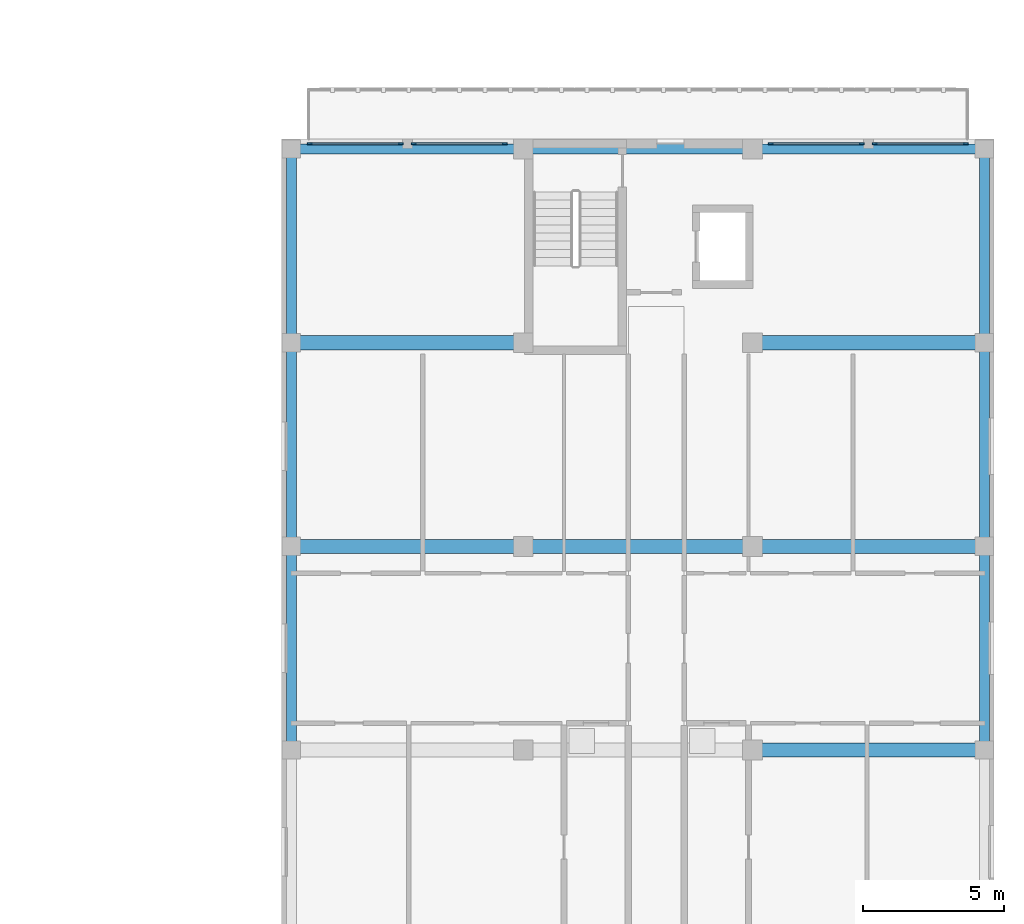
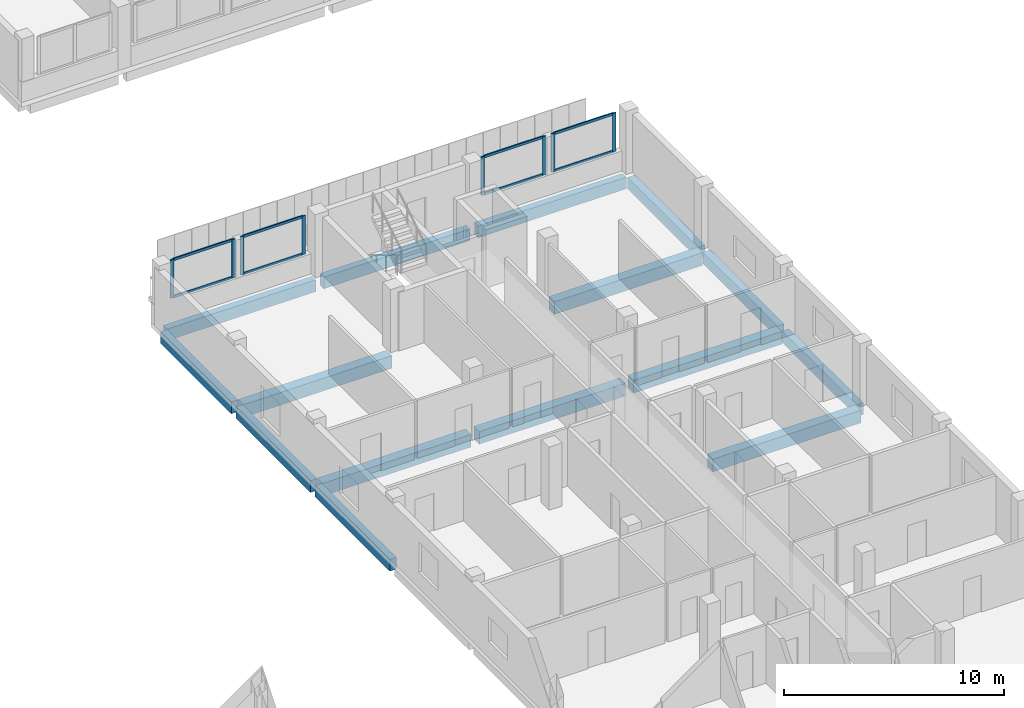
# One storey, part 23 of 73: 16 members, 15 beams, 4 elements without a shape of their own.
"""IFC4 building model written with IfcOpenShell, lengths in metres."""

from ifc_helpers import new_model, si_unit, derived_unit, direction, frame, origin, origin_2d, place, context, subcontext, project, spatial, rectangle, extrude, material, layer, layer_set, material_profile, profile_set, type_object, element, aggregate, save


model = new_model("IFC4")

# Units and contexts
model_context = context("Model", 3, precision=1e-05, world=origin(), true_north=direction((0.0, 1.0)))
body_context = subcontext(model_context, "Body", "Model", "MODEL_VIEW")
ifc_project = project(units=[si_unit("LENGTHUNIT", "METRE"), si_unit("AREAUNIT", "SQUARE_METRE"), si_unit("VOLUMEUNIT", "CUBIC_METRE"), si_unit("PLANEANGLEUNIT", "RADIAN"), si_unit("MASSUNIT", "GRAM", prefix="KILO"), derived_unit("THERMALTRANSMITTANCEUNIT", [(si_unit("MASSUNIT", "GRAM", prefix="KILO"), 1), (si_unit("TIMEUNIT", "SECOND"), -3), (si_unit("THERMODYNAMICTEMPERATUREUNIT", "KELVIN"), -1)])], contexts=[model_context])

# Site, building, storey
site_placement = place(None, origin())
site = spatial("IfcSite", under=ifc_project, at=site_placement, CompositionType="ELEMENT")
building_placement = place(site_placement, origin())
building = spatial("IfcBuilding", under=site, at=building_placement, Name="Ochrekiln Boulevard Commons", CompositionType="ELEMENT")
storey_placement = place(building_placement, frame((0.0, 0.0, 8.574951171875)))
storey = spatial("IfcBuildingStorey", under=building, at=storey_placement, Name="L02", CompositionType="ELEMENT", Elevation=8.574951171875)

# Beams
ifc_material_1 = material(Name="Concrete C40/50", Category="concrete")
ifc_material_profile_1 = material_profile(ifc_material_1, rectangle(XDim=0.5, YDim=0.699951171875, at=origin_2d()), Name="RC-BM-500x700")
ifc_profile_set_1 = profile_set([ifc_material_profile_1], Name="Concrete C40/50")
beam_type_1 = type_object("IfcBeamType", Name="BM-RC-500x700", PredefinedType="BEAM", material=ifc_profile_set_1)
for number, where, z_axis, x_axis, name in (
    (1, (164.4599609375, 28.800048828125, -0.60986328125), (1.0, 0.0, 0.0), (0.0, 1.0, 0.0), "Block C L02 Beam B-5070 X14"),
    (2, (148.159912109375, 36.0, -0.60986328125), (1.0, 0.0, 0.0), (0.0, 1.0, 0.0), "Block C L02 Beam B-5070 X15"),
):
    element("IfcBeam", number, at=place(storey_placement, frame(where, z_axis=z_axis, x_axis=x_axis)), inside=storey, type_object=beam_type_1, Name=name, PredefinedType="BEAM", context=body_context, shape_type="SweptSolid", body=[
        extrude(rectangle(XDim=0.5, YDim=0.699951171875, at=origin_2d()), origin(), (0.0, 0.0, 1.0), 7.780029296875),
    ])
beam_1_placement = place(storey_placement, frame((156.360107421875, 36.0, -0.60986328125), z_axis=(1.0, 0.0, 0.0), x_axis=(0.0, 1.0, 0.0)))
element("IfcBeam", 3, at=beam_1_placement, inside=storey, type_object=beam_type_1, Name="Block C L02 Beam B-5070 X16", PredefinedType="BEAM", context=body_context, shape_type="SweptSolid", body=[
    extrude(rectangle(XDim=0.5, YDim=0.699951171875, at=origin_2d()), origin(), (0.0, 0.0, 1.0), 7.679931640625),
])
for number, where, z_axis, x_axis, name in (
    (4, (164.4599609375, 36.0, -0.60986328125), (1.0, 0.0, 0.0), (0.0, 1.0, 0.0), "Block C L02 Beam B-5070 X17"),
    (5, (148.159912109375, 43.199951171875, -0.60986328125), (1.0, 0.0, 0.0), (0.0, 1.0, 0.0), "Block C L02 Beam B-5070 X18"),
    (6, (164.4599609375, 43.199951171875, -0.60986328125), (1.0, 0.0, 0.0), (0.0, 1.0, 0.0), "Block C L02 Beam B-5070 X19"),
):
    element("IfcBeam", number, at=place(storey_placement, frame(where, z_axis=z_axis, x_axis=x_axis)), inside=storey, type_object=beam_type_1, Name=name, PredefinedType="BEAM", context=body_context, shape_type="SweptSolid", body=[
        extrude(rectangle(XDim=0.5, YDim=0.699951171875, at=origin_2d()), origin(), (0.0, 0.0, 1.0), 7.780029296875),
    ])

# Curtain wall, members
ifc_material_2 = material(Name="Bronze-anodized extruded aluminium 6063-T6", Category="aluminium")
ifc_layer = layer(ifc_material_2, 0.18408203125)
ifc_layer_set = layer_set([ifc_layer], Name="Bronze-anodized extruded aluminium 6063-T6")
curtain_wall_type = type_object("IfcCurtainWallType", Name="CW-GABLE-B", PredefinedType="USERDEFINED", material=ifc_layer_set)
curtain_wall_1_placement = place(storey_placement, origin())
curtain_wall_1 = element("IfcCurtainWall", 7, at=curtain_wall_1_placement, inside=storey, type_object=curtain_wall_type, Name="Block C L02 Courtyard Glazed Gable Curtain Wall 1", ObjectType="GLAZED CURTAIN WALL", PredefinedType="USERDEFINED")
ifc_material_profile_2 = material_profile(ifc_material_2, rectangle(XDim=0.06494140625, YDim=0.179931640625, at=origin_2d()), Name="ALU-MUL-65x180")
ifc_profile_set_2 = profile_set([ifc_material_profile_2], Name="Bronze-anodized extruded aluminium 6063-T6")
member_type_1 = type_object("IfcMemberType", Name="CWM-65x180", PredefinedType="MULLION", material=ifc_profile_set_2)
member_1_placement = place(storey_placement, frame((148.6025390625, 50.235107421875, 1.110107421875), z_axis=(0.0, 0.0, 1.0), x_axis=(0.0, 1.0, 0.0)))
member_1 = element("IfcMember", 8, at=member_1_placement, type_object=member_type_1, Name="CW-02 mullion 1", PredefinedType="MULLION", context=body_context, shape_type="SweptSolid", body=[
    extrude(rectangle(XDim=0.06494140625, YDim=0.179931640625, at=origin_2d()), origin(), (0.0, 0.0, 1.0), 2.1298828125),
])
member_2_placement = place(storey_placement, frame((151.8173828125, 50.235107421875, 1.110107421875), z_axis=(0.0, 0.0, 1.0), x_axis=(0.0, 1.0, 0.0)))
member_2 = element("IfcMember", 9, at=member_2_placement, type_object=member_type_1, Name="CW-02 mullion 2", PredefinedType="MULLION", context=body_context, shape_type="SweptSolid", body=[
    extrude(rectangle(XDim=0.06494140625, YDim=0.179931640625, at=origin_2d()), origin(), (0.0, 0.0, 1.0), 2.1298828125),
])

curtain_wall_2_placement = place(storey_placement, origin())
curtain_wall_2 = element("IfcCurtainWall", 10, at=curtain_wall_2_placement, inside=storey, type_object=curtain_wall_type, Name="Block C L02 Courtyard Glazed Gable Curtain Wall 2", ObjectType="GLAZED CURTAIN WALL", PredefinedType="USERDEFINED")
member_3_placement = place(storey_placement, frame((152.282470703125, 50.235107421875, 1.110107421875), z_axis=(0.0, 0.0, 1.0), x_axis=(0.0, 1.0, 0.0)))
member_3 = element("IfcMember", 11, at=member_3_placement, type_object=member_type_1, Name="CW-02 mullion 1", PredefinedType="MULLION", context=body_context, shape_type="SweptSolid", body=[
    extrude(rectangle(XDim=0.06494140625, YDim=0.179931640625, at=origin_2d()), origin(), (0.0, 0.0, 1.0), 2.1298828125),
])
member_4_placement = place(storey_placement, frame((155.49755859375, 50.235107421875, 1.110107421875), z_axis=(0.0, 0.0, 1.0), x_axis=(0.0, 1.0, 0.0)))
member_4 = element("IfcMember", 12, at=member_4_placement, type_object=member_type_1, Name="CW-02 mullion 2", PredefinedType="MULLION", context=body_context, shape_type="SweptSolid", body=[
    extrude(rectangle(XDim=0.06494140625, YDim=0.179931640625, at=origin_2d()), origin(), (0.0, 0.0, 1.0), 2.1298828125),
])

curtain_wall_3_placement = place(storey_placement, origin())
curtain_wall_3 = element("IfcCurtainWall", 13, at=curtain_wall_3_placement, inside=storey, type_object=curtain_wall_type, Name="Block C L02 Courtyard Glazed Gable Curtain Wall 3", ObjectType="GLAZED CURTAIN WALL", PredefinedType="USERDEFINED")
member_5_placement = place(storey_placement, frame((164.902587890625, 50.235107421875, 1.110107421875), z_axis=(0.0, 0.0, 1.0), x_axis=(0.0, 1.0, 0.0)))
member_5 = element("IfcMember", 14, at=member_5_placement, type_object=member_type_1, Name="CW-02 mullion 1", PredefinedType="MULLION", context=body_context, shape_type="SweptSolid", body=[
    extrude(rectangle(XDim=0.06494140625, YDim=0.179931640625, at=origin_2d()), origin(), (0.0, 0.0, 1.0), 2.1298828125),
])
member_6_placement = place(storey_placement, frame((168.117431640625, 50.235107421875, 1.110107421875), z_axis=(0.0, 0.0, 1.0), x_axis=(0.0, 1.0, 0.0)))
member_6 = element("IfcMember", 15, at=member_6_placement, type_object=member_type_1, Name="CW-02 mullion 2", PredefinedType="MULLION", context=body_context, shape_type="SweptSolid", body=[
    extrude(rectangle(XDim=0.06494140625, YDim=0.179931640625, at=origin_2d()), origin(), (0.0, 0.0, 1.0), 2.1298828125),
])

curtain_wall_4_placement = place(storey_placement, origin())
curtain_wall_4 = element("IfcCurtainWall", 16, at=curtain_wall_4_placement, inside=storey, type_object=curtain_wall_type, Name="Block C L02 Courtyard Glazed Gable Curtain Wall 4", ObjectType="GLAZED CURTAIN WALL", PredefinedType="USERDEFINED")
member_7_placement = place(storey_placement, frame((168.58251953125, 50.235107421875, 1.110107421875), z_axis=(0.0, 0.0, 1.0), x_axis=(0.0, 1.0, 0.0)))
member_7 = element("IfcMember", 17, at=member_7_placement, type_object=member_type_1, Name="CW-02 mullion 1", PredefinedType="MULLION", context=body_context, shape_type="SweptSolid", body=[
    extrude(rectangle(XDim=0.06494140625, YDim=0.179931640625, at=origin_2d()), origin(), (0.0, 0.0, 1.0), 2.1298828125),
])
member_8_placement = place(storey_placement, frame((171.797607421875, 50.235107421875, 1.110107421875), z_axis=(0.0, 0.0, 1.0), x_axis=(0.0, 1.0, 0.0)))
member_8 = element("IfcMember", 18, at=member_8_placement, type_object=member_type_1, Name="CW-02 mullion 2", PredefinedType="MULLION", context=body_context, shape_type="SweptSolid", body=[
    extrude(rectangle(XDim=0.06494140625, YDim=0.179931640625, at=origin_2d()), origin(), (0.0, 0.0, 1.0), 2.1298828125),
])

# Member
ifc_material_profile_3 = material_profile(ifc_material_2, rectangle(XDim=0.06494140625, YDim=0.139892578125, at=origin_2d()), Name="ALU-TRN-65x140")
ifc_profile_set_3 = profile_set([ifc_material_profile_3], Name="Bronze-anodized extruded aluminium 6063-T6")
member_type_2 = type_object("IfcMemberType", Name="CWT-65x140", PredefinedType="USERDEFINED", material=ifc_profile_set_3)
member_9_placement = place(storey_placement, frame((148.635009765625, 50.235107421875, 1.142578125), z_axis=(1.0, 0.0, 0.0), x_axis=(0.0, 1.0, 0.0)))
member_9 = element("IfcMember", 19, at=member_9_placement, type_object=member_type_2, Name="CW-02 transom 1.1", ObjectType="TRANSOM", PredefinedType="USERDEFINED", context=body_context, shape_type="SweptSolid", body=[
    extrude(rectangle(XDim=0.06494140625, YDim=0.139892578125, at=origin_2d()), origin(), (0.0, 0.0, 1.0), 3.14990234375),
])

member_10_placement = place(storey_placement, frame((148.635009765625, 50.235107421875, 3.20751953125), z_axis=(1.0, 0.0, 0.0), x_axis=(0.0, 1.0, 0.0)))
member_10 = element("IfcMember", 20, at=member_10_placement, type_object=member_type_2, Name="CW-02 transom 1.2", ObjectType="TRANSOM", PredefinedType="USERDEFINED", context=body_context, shape_type="SweptSolid", body=[
    extrude(rectangle(XDim=0.06494140625, YDim=0.139892578125, at=origin_2d()), origin(), (0.0, 0.0, 1.0), 3.14990234375),
])

aggregate(curtain_wall_1, [member_1, member_2, member_9, member_10])

member_11_placement = place(storey_placement, frame((152.31494140625, 50.235107421875, 1.142578125), z_axis=(1.0, 0.0, 0.0), x_axis=(0.0, 1.0, 0.0)))
member_11 = element("IfcMember", 21, at=member_11_placement, type_object=member_type_2, Name="CW-02 transom 1.1", ObjectType="TRANSOM", PredefinedType="USERDEFINED", context=body_context, shape_type="SweptSolid", body=[
    extrude(rectangle(XDim=0.06494140625, YDim=0.139892578125, at=origin_2d()), origin(), (0.0, 0.0, 1.0), 3.150146484375),
])

member_12_placement = place(storey_placement, frame((152.31494140625, 50.235107421875, 3.20751953125), z_axis=(1.0, 0.0, 0.0), x_axis=(0.0, 1.0, 0.0)))
member_12 = element("IfcMember", 22, at=member_12_placement, type_object=member_type_2, Name="CW-02 transom 1.2", ObjectType="TRANSOM", PredefinedType="USERDEFINED", context=body_context, shape_type="SweptSolid", body=[
    extrude(rectangle(XDim=0.06494140625, YDim=0.139892578125, at=origin_2d()), origin(), (0.0, 0.0, 1.0), 3.150146484375),
])

aggregate(curtain_wall_2, [member_3, member_4, member_11, member_12])

member_13_placement = place(storey_placement, frame((164.93505859375, 50.235107421875, 1.142578125), z_axis=(1.0, 0.0, 0.0), x_axis=(0.0, 1.0, 0.0)))
member_13 = element("IfcMember", 23, at=member_13_placement, type_object=member_type_2, Name="CW-02 transom 1.1", ObjectType="TRANSOM", PredefinedType="USERDEFINED", context=body_context, shape_type="SweptSolid", body=[
    extrude(rectangle(XDim=0.06494140625, YDim=0.139892578125, at=origin_2d()), origin(), (0.0, 0.0, 1.0), 3.14990234375),
])

member_14_placement = place(storey_placement, frame((164.93505859375, 50.235107421875, 3.20751953125), z_axis=(1.0, 0.0, 0.0), x_axis=(0.0, 1.0, 0.0)))
member_14 = element("IfcMember", 24, at=member_14_placement, type_object=member_type_2, Name="CW-02 transom 1.2", ObjectType="TRANSOM", PredefinedType="USERDEFINED", context=body_context, shape_type="SweptSolid", body=[
    extrude(rectangle(XDim=0.06494140625, YDim=0.139892578125, at=origin_2d()), origin(), (0.0, 0.0, 1.0), 3.14990234375),
])

aggregate(curtain_wall_3, [member_5, member_6, member_13, member_14])

member_15_placement = place(storey_placement, frame((168.614990234375, 50.235107421875, 1.142578125), z_axis=(1.0, 0.0, 0.0), x_axis=(0.0, 1.0, 0.0)))
member_15 = element("IfcMember", 25, at=member_15_placement, type_object=member_type_2, Name="CW-02 transom 1.1", ObjectType="TRANSOM", PredefinedType="USERDEFINED", context=body_context, shape_type="SweptSolid", body=[
    extrude(rectangle(XDim=0.06494140625, YDim=0.139892578125, at=origin_2d()), origin(), (0.0, 0.0, 1.0), 3.14990234375),
])

member_16_placement = place(storey_placement, frame((168.614990234375, 50.235107421875, 3.20751953125), z_axis=(1.0, 0.0, 0.0), x_axis=(0.0, 1.0, 0.0)))
member_16 = element("IfcMember", 26, at=member_16_placement, type_object=member_type_2, Name="CW-02 transom 1.2", ObjectType="TRANSOM", PredefinedType="USERDEFINED", context=body_context, shape_type="SweptSolid", body=[
    extrude(rectangle(XDim=0.06494140625, YDim=0.139892578125, at=origin_2d()), origin(), (0.0, 0.0, 1.0), 3.14990234375),
])

aggregate(curtain_wall_4, [member_7, member_8, member_15, member_16])

# Beams
ifc_material_profile_4 = material_profile(ifc_material_1, rectangle(XDim=0.35009765625, YDim=0.64990234375, at=origin_2d()), Name="RC-SPN-350x650")
ifc_profile_set_4 = profile_set([ifc_material_profile_4], Name="Concrete C40/50")
beam_type_2 = type_object("IfcBeamType", Name="SPN-RC-350x650", PredefinedType="SPANDREL", material=ifc_profile_set_4)
beam_2_placement = place(storey_placement, frame((148.159912109375, 50.050048828125, -0.5849609375), z_axis=(1.0, 0.0, 0.0), x_axis=(0.0, 1.0, 0.0)))
element("IfcBeam", 27, at=beam_2_placement, inside=storey, type_object=beam_type_2, Name="Block C L02 Beam SP-3565 X20", PredefinedType="SPANDREL", context=body_context, shape_type="SweptSolid", body=[
    extrude(rectangle(XDim=0.35009765625, YDim=0.64990234375, at=origin_2d()), origin(), (0.0, 0.0, 1.0), 7.780029296875),
])
beam_3_placement = place(storey_placement, frame((156.360107421875, 50.050048828125, -0.5849609375), z_axis=(1.0, 0.0, 0.0), x_axis=(0.0, 1.0, 0.0)))
element("IfcBeam", 28, at=beam_3_placement, inside=storey, type_object=beam_type_2, Name="Block C L02 Beam SP-3565 X21", PredefinedType="SPANDREL", context=body_context, shape_type="SweptSolid", body=[
    extrude(rectangle(XDim=0.35009765625, YDim=0.64990234375, at=origin_2d()), origin(), (0.0, 0.0, 1.0), 7.679931640625),
])
beam_4_placement = place(storey_placement, frame((164.4599609375, 50.050048828125, -0.5849609375), z_axis=(1.0, 0.0, 0.0), x_axis=(0.0, 1.0, 0.0)))
element("IfcBeam", 29, at=beam_4_placement, inside=storey, type_object=beam_type_2, Name="Block C L02 Beam SP-3565 X22", PredefinedType="SPANDREL", context=body_context, shape_type="SweptSolid", body=[
    extrude(rectangle(XDim=0.35009765625, YDim=0.64990234375, at=origin_2d()), origin(), (0.0, 0.0, 1.0), 7.780029296875),
])
for number, where, z_axis, x_axis, name in (
    (30, (147.949951171875, 29.010009765625, -0.5849609375), (0.0, 1.0, 0.0), (-1.0, 0.0, 0.0), "Block C L02 Beam SP-3565 Y27"),
    (31, (147.949951171875, 36.2099609375, -0.5849609375), (0.0, 1.0, 0.0), (-1.0, 0.0, 0.0), "Block C L02 Beam SP-3565 Y28"),
):
    element("IfcBeam", number, at=place(storey_placement, frame(where, z_axis=z_axis, x_axis=x_axis)), inside=storey, type_object=beam_type_2, Name=name, PredefinedType="SPANDREL", context=body_context, shape_type="SweptSolid", body=[
        extrude(rectangle(XDim=0.35009765625, YDim=0.64990234375, at=origin_2d()), origin(), (0.0, 0.0, 1.0), 6.780029296875),
    ])
beam_5_placement = place(storey_placement, frame((147.949951171875, 43.409912109375, -0.5849609375), z_axis=(0.0, 1.0, 0.0), x_axis=(-1.0, 0.0, 0.0)))
element("IfcBeam", 32, at=beam_5_placement, inside=storey, type_object=beam_type_2, Name="Block C L02 Beam SP-3565 Y29", PredefinedType="SPANDREL", context=body_context, shape_type="SweptSolid", body=[
    extrude(rectangle(XDim=0.35009765625, YDim=0.64990234375, at=origin_2d()), origin(), (0.0, 0.0, 1.0), 6.43017578125),
])
for number, where, z_axis, x_axis, name in (
    (33, (172.449951171875, 29.010009765625, -0.5849609375), (0.0, 1.0, 0.0), (-1.0, 0.0, 0.0), "Block C L02 Beam SP-3565 Y34"),
    (34, (172.449951171875, 36.2099609375, -0.5849609375), (0.0, 1.0, 0.0), (-1.0, 0.0, 0.0), "Block C L02 Beam SP-3565 Y35"),
):
    element("IfcBeam", number, at=place(storey_placement, frame(where, z_axis=z_axis, x_axis=x_axis)), inside=storey, type_object=beam_type_2, Name=name, PredefinedType="SPANDREL", context=body_context, shape_type="SweptSolid", body=[
        extrude(rectangle(XDim=0.35009765625, YDim=0.64990234375, at=origin_2d()), origin(), (0.0, 0.0, 1.0), 6.780029296875),
    ])
beam_6_placement = place(storey_placement, frame((172.449951171875, 43.409912109375, -0.5849609375), z_axis=(0.0, 1.0, 0.0), x_axis=(-1.0, 0.0, 0.0)))
element("IfcBeam", 35, at=beam_6_placement, inside=storey, type_object=beam_type_2, Name="Block C L02 Beam SP-3565 Y36", PredefinedType="SPANDREL", context=body_context, shape_type="SweptSolid", body=[
    extrude(rectangle(XDim=0.35009765625, YDim=0.64990234375, at=origin_2d()), origin(), (0.0, 0.0, 1.0), 6.43017578125),
])

save(model, "model.ifc")
